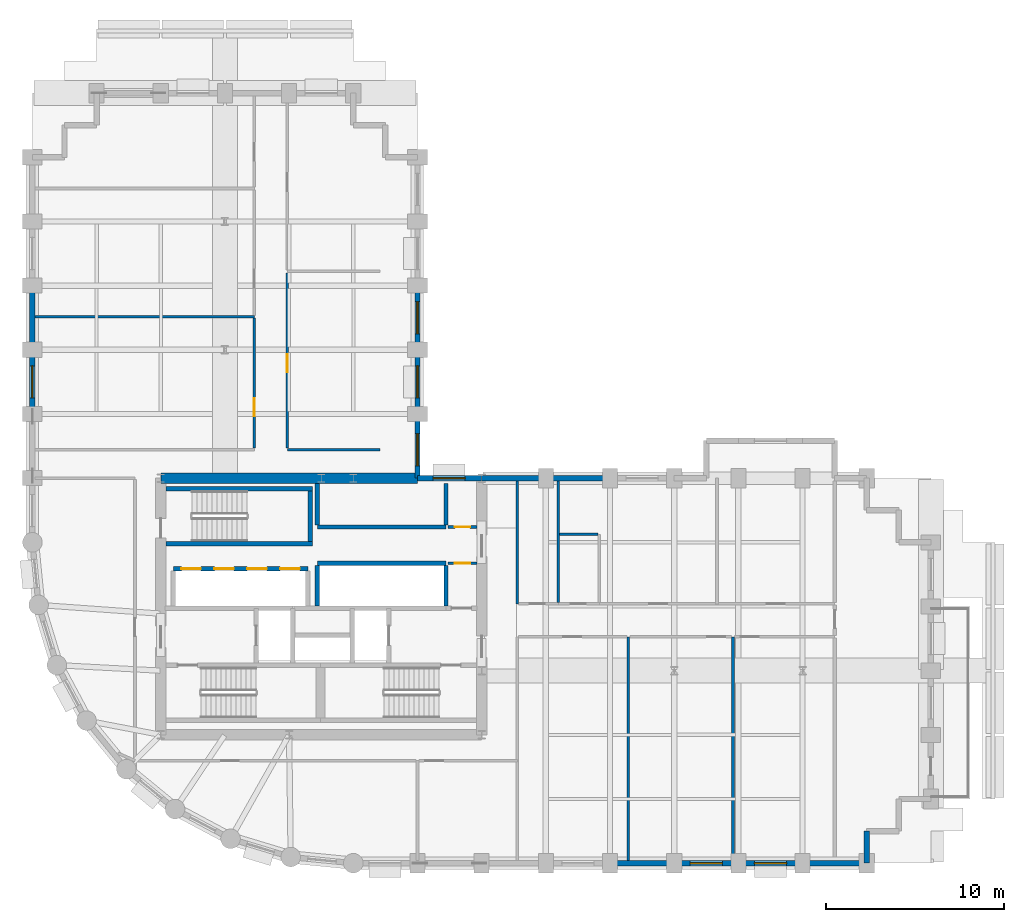
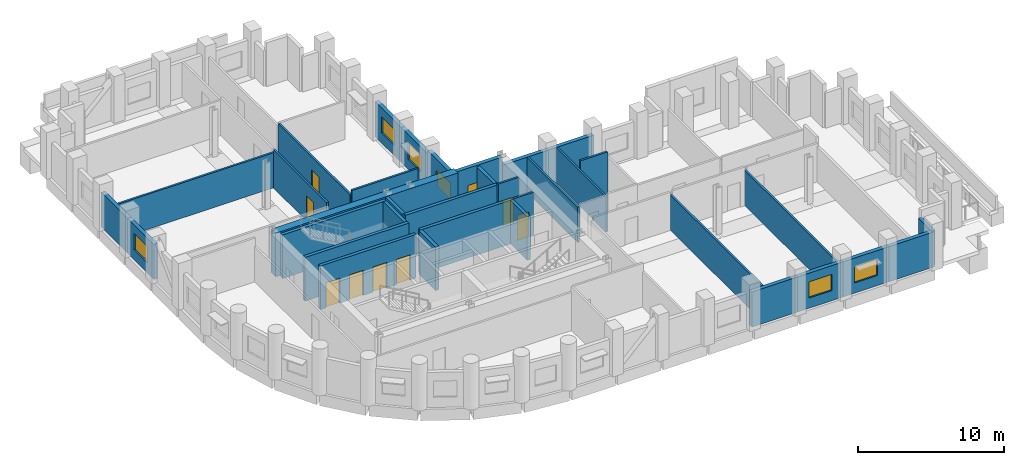
# One storey, part 5 of 9: 35 walls, 8 doors, 7 windows, 15 openings.
"""IFC4 building model written with IfcOpenShell, lengths in metres."""

from ifc_helpers import new_model, si_unit, direction, frame, frame_2d, origin, place, context, subcontext, project, spatial, rectangle, extrude, material, layer, layer_set, type_object, element, fill, save


model = new_model("IFC4")

# Units and contexts
model_context = context("Model", 3, precision=1e-05, world=origin(), true_north=direction((0.0, 1.0)))
body_context = subcontext(model_context, "Body", "Model", "MODEL_VIEW")
ifc_project = project(units=[si_unit("LENGTHUNIT", "METRE"), si_unit("AREAUNIT", "SQUARE_METRE"), si_unit("VOLUMEUNIT", "CUBIC_METRE"), si_unit("PLANEANGLEUNIT", "RADIAN"), si_unit("MASSUNIT", "GRAM", prefix="KILO")], contexts=[model_context])

# Site, building, storey
site_placement = place(None, origin())
site = spatial("IfcSite", under=ifc_project, at=site_placement, CompositionType="ELEMENT")
building_placement = place(site_placement, origin())
building = spatial("IfcBuilding", under=site, at=building_placement, Name="Solnavia Interchange Tower", CompositionType="ELEMENT")
storey_placement = place(building_placement, frame((0.0, 0.0, 80.10009765625)))
storey = spatial("IfcBuildingStorey", under=building, at=storey_placement, Name="L19", CompositionType="ELEMENT", Elevation=80.10009765625)

# Wall
ifc_material_1 = material(Name="Concrete C40/50", Category="concrete")
ifc_layer_1 = layer(ifc_material_1, 0.300048828125)
ifc_layer_set_1 = layer_set([ifc_layer_1], Name="Concrete C40/50")
wall_type_1 = type_object("IfcWallType", Name="Wall-ExtSpandrel-300", PredefinedType="STANDARD", material=ifc_layer_set_1)
wall_1_placement = place(storey_placement, frame((43.199951171875, 3.60009765625, 0.0), z_axis=(0.0, 0.0, 1.0), x_axis=(-1.0, 0.0, 0.0)))
element("IfcWall", 1, at=wall_1_placement, inside=storey, type_object=wall_type_1, Name="EXW-L19-05 Exterior precast spandrel wall", PredefinedType="STANDARD", context=body_context, shape_type="SweptSolid", body=[
    extrude(rectangle(XDim=3.599853515625, YDim=0.300048828125, at=frame_2d((1.7998046875, 0.0))), origin(), (0.0, 0.0, 1.0), 2.929931640625),
])

# Wall, opening, window
wall_2_placement = place(storey_placement, frame((46.800048828125, 3.60009765625, 0.0), z_axis=(0.0, 0.0, 1.0), x_axis=(-1.0, 0.0, 0.0)))
wall_2 = element("IfcWall", 2, at=wall_2_placement, inside=storey, type_object=wall_type_1, Name="EXW-L19-06 Exterior precast spandrel wall", PredefinedType="STANDARD", context=body_context, shape_type="SweptSolid", body=[
    extrude(rectangle(XDim=3.60009765625, YDim=0.300048828125, at=frame_2d((1.800048828125, 0.0))), origin(), (0.0, 0.0, 1.0), 2.929931640625),
])
opening_1_placement = place(wall_2_placement, frame((0.89990234375, 0.0, 0.85009765625)))
opening_1 = element("IfcOpeningElement", 3, at=opening_1_placement, cuts=wall_2, Name="Opening WIN-02", PredefinedType="OPENING", context=body_context, shape_type="SweptSolid", body=[
    extrude(rectangle(XDim=1.800048828125, YDim=1.35009765625, at=frame_2d((0.89990234375, 0.675048828125))), frame((0.0, 0.16015625, 0.0), z_axis=(0.0, -1.0, 0.0), x_axis=(1.0, 0.0, 0.0)), (0.0, 0.0, 1.0), 0.320068359375),
])
ifc_material_2 = material(Name="Thermal-Break Aluminium & Low-E Glass", Category="aluminium")
window_type = type_object("IfcWindowType", Name="Window-Ribbon-1800x1350", PartitioningType="SINGLE_PANEL", PredefinedType="WINDOW", material=ifc_material_2)
window_1_placement = place(opening_1_placement, origin())
window_1 = element("IfcWindow", 4, at=window_1_placement, inside=storey, type_object=window_type, Name="WIN-L19-06 Facade ribbon window", OverallHeight=1.35009765625, OverallWidth=1.800048828125, PartitioningType="SINGLE_PANEL", PredefinedType="WINDOW", context=body_context, shape_type="SweptSolid", body=[
    extrude(rectangle(XDim=1.800048828125, YDim=1.35009765625, at=frame_2d((0.89990234375, 0.675048828125))), frame((0.0, 0.030029296875, 0.0), z_axis=(0.0, -1.0, 0.0), x_axis=(1.0, 0.0, 0.0)), (0.0, 0.0, 1.0), 0.06005859375),
])
fill(opening_1, window_1)

wall_3_placement = place(storey_placement, frame((50.39990234375, 3.60009765625, 0.0), z_axis=(0.0, 0.0, 1.0), x_axis=(-1.0, 0.0, 0.0)))
wall_3 = element("IfcWall", 5, at=wall_3_placement, inside=storey, type_object=wall_type_1, Name="EXW-L19-07 Exterior precast spandrel wall", PredefinedType="STANDARD", context=body_context, shape_type="SweptSolid", body=[
    extrude(rectangle(XDim=3.599853515625, YDim=0.300048828125, at=frame_2d((1.7998046875, 0.0))), origin(), (0.0, 0.0, 1.0), 2.929931640625),
])
opening_2_placement = place(wall_3_placement, frame((0.89990234375, 0.0, 0.85009765625)))
opening_2 = element("IfcOpeningElement", 6, at=opening_2_placement, cuts=wall_3, Name="Opening WIN-02", PredefinedType="OPENING", context=body_context, shape_type="SweptSolid", body=[
    extrude(rectangle(XDim=1.800048828125, YDim=1.35009765625, at=frame_2d((0.89990234375, 0.675048828125))), frame((0.0, 0.16015625, 0.0), z_axis=(0.0, -1.0, 0.0), x_axis=(1.0, 0.0, 0.0)), (0.0, 0.0, 1.0), 0.320068359375),
])
window_2_placement = place(opening_2_placement, origin())
window_2 = element("IfcWindow", 7, at=window_2_placement, inside=storey, type_object=window_type, Name="WIN-L19-07 Facade ribbon window", OverallHeight=1.35009765625, OverallWidth=1.800048828125, PartitioningType="SINGLE_PANEL", PredefinedType="WINDOW", context=body_context, shape_type="SweptSolid", body=[
    extrude(rectangle(XDim=1.800048828125, YDim=1.35009765625, at=frame_2d((0.89990234375, 0.675048828125))), frame((0.0, 0.030029296875, 0.0), z_axis=(0.0, -1.0, 0.0), x_axis=(1.0, 0.0, 0.0)), (0.0, 0.0, 1.0), 0.06005859375),
])
fill(opening_2, window_2)

# Walls
wall_4_placement = place(storey_placement, frame((54.0, 3.60009765625, 0.0), z_axis=(0.0, 0.0, 1.0), x_axis=(-1.0, 0.0, 0.0)))
element("IfcWall", 8, at=wall_4_placement, inside=storey, type_object=wall_type_1, Name="EXW-L19-08 Exterior precast spandrel wall", PredefinedType="STANDARD", context=body_context, shape_type="SweptSolid", body=[
    extrude(rectangle(XDim=3.60009765625, YDim=0.300048828125, at=frame_2d((1.800048828125, 0.0))), origin(), (0.0, 0.0, 1.0), 2.929931640625),
])
wall_5_placement = place(storey_placement, frame((54.0, 5.39990234375, 0.0), z_axis=(0.0, 0.0, 1.0), x_axis=(0.0, -1.0, 0.0)))
element("IfcWall", 9, at=wall_5_placement, inside=storey, type_object=wall_type_1, Name="EXW-L19-09 Exterior precast spandrel wall", PredefinedType="STANDARD", context=body_context, shape_type="SweptSolid", body=[
    extrude(rectangle(XDim=1.7998046875, YDim=0.300048828125, at=frame_2d((0.89990234375, 0.0))), origin(), (0.0, 0.0, 1.0), 2.929931640625),
])
for number, where, z_axis, x_axis, name in (
    (10, (36.0, 25.199951171875, 0.0), (0.0, 0.0, 1.0), (1.0, 0.0, 0.0), "EXW-L19-29 Exterior precast spandrel wall"),
    (11, (32.39990234375, 25.199951171875, 0.0), (0.0, 0.0, 1.0), (1.0, 0.0, 0.0), "EXW-L19-30 Exterior precast spandrel wall"),
):
    element("IfcWall", number, at=place(storey_placement, frame(where, z_axis=z_axis, x_axis=x_axis)), inside=storey, type_object=wall_type_1, Name=name, PredefinedType="STANDARD", context=body_context, shape_type="SweptSolid", body=[
        extrude(rectangle(XDim=3.60009765625, YDim=0.300048828125, at=frame_2d((1.800048828125, 0.0))), origin(), (0.0, 0.0, 1.0), 2.929931640625),
    ])

# Wall, opening, window
wall_6_placement = place(storey_placement, frame((28.800048828125, 25.199951171875, 0.0), z_axis=(0.0, 0.0, 1.0), x_axis=(1.0, 0.0, 0.0)))
wall_6 = element("IfcWall", 12, at=wall_6_placement, inside=storey, type_object=wall_type_1, Name="EXW-L19-31 Exterior precast spandrel wall", PredefinedType="STANDARD", context=body_context, shape_type="SweptSolid", body=[
    extrude(rectangle(XDim=3.599853515625, YDim=0.300048828125, at=frame_2d((1.7998046875, 0.0))), origin(), (0.0, 0.0, 1.0), 3.635009765625),
])
opening_3_placement = place(wall_6_placement, frame((0.8779296875, 0.0, 0.85009765625)))
opening_3 = element("IfcOpeningElement", 13, at=opening_3_placement, cuts=wall_6, Name="Opening WIN-02", PredefinedType="OPENING", context=body_context, shape_type="SweptSolid", body=[
    extrude(rectangle(XDim=1.800048828125, YDim=1.35009765625, at=frame_2d((0.89990234375, 0.675048828125))), frame((0.0, 0.16015625, 0.0), z_axis=(0.0, -1.0, 0.0), x_axis=(1.0, 0.0, 0.0)), (0.0, 0.0, 1.0), 0.320068359375),
])
window_3_placement = place(opening_3_placement, origin())
window_3 = element("IfcWindow", 14, at=window_3_placement, inside=storey, type_object=window_type, Name="WIN-L19-31 Facade ribbon window", OverallHeight=1.35009765625, OverallWidth=1.800048828125, PartitioningType="SINGLE_PANEL", PredefinedType="WINDOW", context=body_context, shape_type="SweptSolid", body=[
    extrude(rectangle(XDim=1.800048828125, YDim=1.35009765625, at=frame_2d((0.89990234375, 0.675048828125))), frame((0.0, 0.030029296875, 0.0), z_axis=(0.0, -1.0, 0.0), x_axis=(1.0, 0.0, 0.0)), (0.0, 0.0, 1.0), 0.06005859375),
])
fill(opening_3, window_3)

wall_7_placement = place(storey_placement, frame((28.800048828125, 25.199951171875, 0.0), z_axis=(0.0, 0.0, 1.0), x_axis=(0.0, 1.0, 0.0)))
wall_7 = element("IfcWall", 15, at=wall_7_placement, inside=storey, type_object=wall_type_1, Name="EXW-L19-32 Exterior precast spandrel wall", PredefinedType="STANDARD", context=body_context, shape_type="SweptSolid", body=[
    extrude(rectangle(XDim=3.60009765625, YDim=0.300048828125, at=frame_2d((1.800048828125, 0.0))), origin(), (0.0, 0.0, 1.0), 3.18994140625),
])
opening_4_placement = place(wall_7_placement, frame((0.695068359375, 0.0, 0.85009765625)))
opening_4 = element("IfcOpeningElement", 16, at=opening_4_placement, cuts=wall_7, Name="Opening WIN-02", PredefinedType="OPENING", context=body_context, shape_type="SweptSolid", body=[
    extrude(rectangle(XDim=1.800048828125, YDim=1.35009765625, at=frame_2d((0.89990234375, 0.675048828125))), frame((0.0, 0.16015625, 0.0), z_axis=(0.0, -1.0, 0.0), x_axis=(1.0, 0.0, 0.0)), (0.0, 0.0, 1.0), 0.320068359375),
])
window_4_placement = place(opening_4_placement, origin())
window_4 = element("IfcWindow", 17, at=window_4_placement, inside=storey, type_object=window_type, Name="WIN-L19-32 Facade ribbon window", OverallHeight=1.35009765625, OverallWidth=1.800048828125, PartitioningType="SINGLE_PANEL", PredefinedType="WINDOW", context=body_context, shape_type="SweptSolid", body=[
    extrude(rectangle(XDim=1.800048828125, YDim=1.35009765625, at=frame_2d((0.89990234375, 0.675048828125))), frame((0.0, 0.030029296875, 0.0), z_axis=(0.0, -1.0, 0.0), x_axis=(1.0, 0.0, 0.0)), (0.0, 0.0, 1.0), 0.06005859375),
])
fill(opening_4, window_4)

wall_8_placement = place(storey_placement, frame((28.800048828125, 28.800048828125, 0.0), z_axis=(0.0, 0.0, 1.0), x_axis=(0.0, 1.0, 0.0)))
wall_8 = element("IfcWall", 18, at=wall_8_placement, inside=storey, type_object=wall_type_1, Name="EXW-L19-33 Exterior precast spandrel wall", PredefinedType="STANDARD", context=body_context, shape_type="SweptSolid", body=[
    extrude(rectangle(XDim=3.599853515625, YDim=0.300048828125, at=frame_2d((1.7998046875, 0.0))), origin(), (0.0, 0.0, 1.0), 2.929931640625),
])
opening_5_placement = place(wall_8_placement, frame((0.89990234375, 0.0, 0.85009765625)))
opening_5 = element("IfcOpeningElement", 19, at=opening_5_placement, cuts=wall_8, Name="Opening WIN-02", PredefinedType="OPENING", context=body_context, shape_type="SweptSolid", body=[
    extrude(rectangle(XDim=1.800048828125, YDim=1.35009765625, at=frame_2d((0.89990234375, 0.675048828125))), frame((0.0, 0.16015625, 0.0), z_axis=(0.0, -1.0, 0.0), x_axis=(1.0, 0.0, 0.0)), (0.0, 0.0, 1.0), 0.320068359375),
])
window_5_placement = place(opening_5_placement, origin())
window_5 = element("IfcWindow", 20, at=window_5_placement, inside=storey, type_object=window_type, Name="WIN-L19-33 Facade ribbon window", OverallHeight=1.35009765625, OverallWidth=1.800048828125, PartitioningType="SINGLE_PANEL", PredefinedType="WINDOW", context=body_context, shape_type="SweptSolid", body=[
    extrude(rectangle(XDim=1.800048828125, YDim=1.35009765625, at=frame_2d((0.89990234375, 0.675048828125))), frame((0.0, 0.030029296875, 0.0), z_axis=(0.0, -1.0, 0.0), x_axis=(1.0, 0.0, 0.0)), (0.0, 0.0, 1.0), 0.06005859375),
])
fill(opening_5, window_5)

wall_9_placement = place(storey_placement, frame((28.800048828125, 32.39990234375, 0.0), z_axis=(0.0, 0.0, 1.0), x_axis=(0.0, 1.0, 0.0)))
wall_9 = element("IfcWall", 21, at=wall_9_placement, inside=storey, type_object=wall_type_1, Name="EXW-L19-34 Exterior precast spandrel wall", PredefinedType="STANDARD", context=body_context, shape_type="SweptSolid", body=[
    extrude(rectangle(XDim=3.60009765625, YDim=0.300048828125, at=frame_2d((1.800048828125, 0.0))), origin(), (0.0, 0.0, 1.0), 2.929931640625),
])
opening_6_placement = place(wall_9_placement, frame((0.89990234375, 0.0, 0.85009765625)))
opening_6 = element("IfcOpeningElement", 22, at=opening_6_placement, cuts=wall_9, Name="Opening WIN-02", PredefinedType="OPENING", context=body_context, shape_type="SweptSolid", body=[
    extrude(rectangle(XDim=1.800048828125, YDim=1.35009765625, at=frame_2d((0.89990234375, 0.675048828125))), frame((0.0, 0.16015625, 0.0), z_axis=(0.0, -1.0, 0.0), x_axis=(1.0, 0.0, 0.0)), (0.0, 0.0, 1.0), 0.320068359375),
])
window_6_placement = place(opening_6_placement, origin())
window_6 = element("IfcWindow", 23, at=window_6_placement, inside=storey, type_object=window_type, Name="WIN-L19-34 Facade ribbon window", OverallHeight=1.35009765625, OverallWidth=1.800048828125, PartitioningType="SINGLE_PANEL", PredefinedType="WINDOW", context=body_context, shape_type="SweptSolid", body=[
    extrude(rectangle(XDim=1.800048828125, YDim=1.35009765625, at=frame_2d((0.89990234375, 0.675048828125))), frame((0.0, 0.030029296875, 0.0), z_axis=(0.0, -1.0, 0.0), x_axis=(1.0, 0.0, 0.0)), (0.0, 0.0, 1.0), 0.06005859375),
])
fill(opening_6, window_6)

# Wall
wall_10_placement = place(storey_placement, frame((7.199951171875, 32.39990234375, 0.0), z_axis=(0.0, 0.0, 1.0), x_axis=(0.0, 1.0, 0.0)))
element("IfcWall", 24, at=wall_10_placement, inside=storey, type_object=wall_type_1, Name="EXW-L19-51 Exterior precast spandrel wall", PredefinedType="STANDARD", context=body_context, shape_type="SweptSolid", body=[
    extrude(rectangle(XDim=3.60009765625, YDim=0.300048828125, at=frame_2d((1.800048828125, 0.0))), origin(), (0.0, 0.0, 1.0), 2.929931640625),
])

# Wall, opening, window
wall_11_placement = place(storey_placement, frame((7.199951171875, 28.800048828125, 0.0), z_axis=(0.0, 0.0, 1.0), x_axis=(0.0, 1.0, 0.0)))
wall_11 = element("IfcWall", 25, at=wall_11_placement, inside=storey, type_object=wall_type_1, Name="EXW-L19-52 Exterior precast spandrel wall", PredefinedType="STANDARD", context=body_context, shape_type="SweptSolid", body=[
    extrude(rectangle(XDim=3.599853515625, YDim=0.300048828125, at=frame_2d((1.7998046875, 0.0))), origin(), (0.0, 0.0, 1.0), 2.929931640625),
])
opening_7_placement = place(wall_11_placement, frame((0.89990234375, 0.0, 0.85009765625)))
opening_7 = element("IfcOpeningElement", 26, at=opening_7_placement, cuts=wall_11, Name="Opening WIN-02", PredefinedType="OPENING", context=body_context, shape_type="SweptSolid", body=[
    extrude(rectangle(XDim=1.800048828125, YDim=1.35009765625, at=frame_2d((0.89990234375, 0.675048828125))), frame((0.0, 0.16015625, 0.0), z_axis=(0.0, -1.0, 0.0), x_axis=(1.0, 0.0, 0.0)), (0.0, 0.0, 1.0), 0.320068359375),
])
window_7_placement = place(opening_7_placement, origin())
window_7 = element("IfcWindow", 27, at=window_7_placement, inside=storey, type_object=window_type, Name="WIN-L19-52 Facade ribbon window", OverallHeight=1.35009765625, OverallWidth=1.800048828125, PartitioningType="SINGLE_PANEL", PredefinedType="WINDOW", context=body_context, shape_type="SweptSolid", body=[
    extrude(rectangle(XDim=1.800048828125, YDim=1.35009765625, at=frame_2d((0.89990234375, 0.675048828125))), frame((0.0, 0.030029296875, 0.0), z_axis=(0.0, -1.0, 0.0), x_axis=(1.0, 0.0, 0.0)), (0.0, 0.0, 1.0), 0.06005859375),
])
fill(opening_7, window_7)

# Wall, opening, door
ifc_material_3 = material(Name="Gypsum Plasterboard & Steel Stud", Category="steel")
ifc_layer_2 = layer(ifc_material_3, 0.14990234375)
ifc_layer_set_2 = layer_set([ifc_layer_2], Name="Gypsum Plasterboard & Steel Stud")
wall_type_2 = type_object("IfcWallType", Name="Wall-Partition-150", PredefinedType="PARTITIONING", material=ifc_layer_set_2)
wall_12_placement = place(storey_placement, frame((30.52001953125, 22.4599609375, 0.0), z_axis=(0.0, 0.0, 1.0), x_axis=(1.0, 0.0, 0.0)))
wall_12 = element("IfcWall", 28, at=wall_12_placement, inside=storey, type_object=wall_type_2, Name="CSW-L19-NE-S Core shaft wall", PredefinedType="PARTITIONING", context=body_context, shape_type="SweptSolid", body=[
    extrude(rectangle(XDim=1.6298828125, YDim=0.14990234375, at=frame_2d((0.81494140625, 0.0))), origin(), (0.0, 0.0, 1.0), 3.635009765625),
])
opening_8_placement = place(wall_12_placement, frame((0.3798828125, 0.0, 0.0)))
opening_8 = element("IfcOpeningElement", 29, at=opening_8_placement, cuts=wall_12, Name="Opening DR-10", PredefinedType="OPENING", context=body_context, shape_type="SweptSolid", body=[
    extrude(rectangle(XDim=0.85009765625, YDim=2.10009765625, at=frame_2d((0.425048828125, 1.050048828125))), frame((0.0, 0.0849609375, 0.0), z_axis=(0.0, -1.0, 0.0), x_axis=(1.0, 0.0, 0.0)), (0.0, 0.0, 1.0), 0.169921875),
])
ifc_material_4 = material(Name="Moisture-Resistant Timber Door", Category="wood")
door_type_1 = type_object("IfcDoorType", Name="Door-Bathroom-850x2100", OperationType="SINGLE_SWING_RIGHT", PredefinedType="DOOR", material=ifc_material_4)
door_1_placement = place(opening_8_placement, origin())
door_1 = element("IfcDoor", 30, at=door_1_placement, inside=storey, type_object=door_type_1, Name="DR-L19-CNE1 Core fire door", OperationType="SINGLE_SWING_RIGHT", OverallHeight=2.10009765625, OverallWidth=0.85009765625, PredefinedType="DOOR", context=body_context, shape_type="SweptSolid", body=[
    extrude(rectangle(XDim=0.85009765625, YDim=2.10009765625, at=frame_2d((0.425048828125, 1.050048828125))), frame((0.0, 0.02490234375, 0.0), z_axis=(0.0, -1.0, 0.0), x_axis=(1.0, 0.0, 0.0)), (0.0, 0.0, 1.0), 0.050048828125),
])
fill(opening_8, door_1)

wall_13_placement = place(storey_placement, frame((30.52001953125, 20.419921875, 0.0), z_axis=(0.0, 0.0, 1.0), x_axis=(1.0, 0.0, 0.0)))
wall_13 = element("IfcWall", 31, at=wall_13_placement, inside=storey, type_object=wall_type_2, Name="CSW-L19-SE-N Core shaft wall", PredefinedType="PARTITIONING", context=body_context, shape_type="SweptSolid", body=[
    extrude(rectangle(XDim=1.6298828125, YDim=0.14990234375, at=frame_2d((0.81494140625, 0.0))), origin(), (0.0, 0.0, 1.0), 3.635009765625),
])
opening_9_placement = place(wall_13_placement, frame((0.3798828125, 0.0, 0.0)))
opening_9 = element("IfcOpeningElement", 32, at=opening_9_placement, cuts=wall_13, Name="Opening DR-10", PredefinedType="OPENING", context=body_context, shape_type="SweptSolid", body=[
    extrude(rectangle(XDim=0.85009765625, YDim=2.10009765625, at=frame_2d((0.425048828125, 1.050048828125))), frame((0.0, 0.0849609375, 0.0), z_axis=(0.0, -1.0, 0.0), x_axis=(1.0, 0.0, 0.0)), (0.0, 0.0, 1.0), 0.169921875),
])
door_2_placement = place(opening_9_placement, origin())
door_2 = element("IfcDoor", 33, at=door_2_placement, inside=storey, type_object=door_type_1, Name="DR-L19-CSE1 Core fire door", OperationType="SINGLE_SWING_LEFT", OverallHeight=2.10009765625, OverallWidth=0.85009765625, PredefinedType="DOOR", context=body_context, shape_type="SweptSolid", body=[
    extrude(rectangle(XDim=0.85009765625, YDim=2.10009765625, at=frame_2d((0.425048828125, 1.050048828125))), frame((0.0, 0.02490234375, 0.0), z_axis=(0.0, -1.0, 0.0), x_axis=(1.0, 0.0, 0.0)), (0.0, 0.0, 1.0), 0.050048828125),
])
fill(opening_9, door_2)

# Walls
for number, where, z_axis, x_axis, name in (
    (34, (40.6298828125, 3.75390625, 0.0), (0.0, 0.0, 1.0), (0.0, 1.0, 0.0), "PTW-L19-14 Interior partition wall"),
    (35, (46.5, 3.75390625, 0.0), (0.0, 0.0, 1.0), (0.0, 1.0, 0.0), "PTW-L19-16 Interior partition wall"),
):
    element("IfcWall", number, at=place(storey_placement, frame(where, z_axis=z_axis, x_axis=x_axis)), inside=storey, type_object=wall_type_2, Name=name, PredefinedType="PARTITIONING", context=body_context, shape_type="SweptSolid", body=[
        extrude(rectangle(XDim=12.546142578125, YDim=0.14990234375, at=frame_2d((6.27294921875, 0.0))), origin(), (0.0, 0.0, 1.0), 2.929931640625),
    ])
wall_14_placement = place(storey_placement, frame((7.35400390625, 34.25, 0.0), z_axis=(0.0, 0.0, 1.0), x_axis=(1.0, 0.0, 0.0)))
element("IfcWall", 36, at=wall_14_placement, inside=storey, type_object=wall_type_2, Name="PTW-L19-26 Interior partition wall", PredefinedType="PARTITIONING", context=body_context, shape_type="SweptSolid", body=[
    extrude(rectangle(XDim=12.2958984375, YDim=0.14990234375, at=frame_2d((6.14794921875, 0.0))), origin(), (0.0, 0.0, 1.0), 2.929931640625),
])

# Wall, opening, door
wall_15_placement = place(storey_placement, frame((19.64990234375, 26.87890625, 0.0), z_axis=(0.0, 0.0, 1.0), x_axis=(0.0, 1.0, 0.0)))
wall_15 = element("IfcWall", 37, at=wall_15_placement, inside=storey, type_object=wall_type_2, Name="PTW-L19-27 Interior partition wall", PredefinedType="PARTITIONING", context=body_context, shape_type="SweptSolid", body=[
    extrude(rectangle(XDim=7.2919921875, YDim=0.14990234375, at=frame_2d((3.64599609375, 0.0))), origin(), (0.0, 0.0, 1.0), 3.18994140625),
])
opening_10_placement = place(wall_15_placement, frame((1.79296875, 0.0, 0.0)))
opening_10 = element("IfcOpeningElement", 38, at=opening_10_placement, cuts=wall_15, Name="Opening DR-07", PredefinedType="OPENING", context=body_context, shape_type="SweptSolid", body=[
    extrude(rectangle(XDim=1.0, YDim=2.10009765625, at=frame_2d((0.5, 1.050048828125))), frame((0.0, 0.0849609375, 0.0), z_axis=(0.0, -1.0, 0.0), x_axis=(1.0, 0.0, 0.0)), (0.0, 0.0, 1.0), 0.169921875),
])
ifc_material_5 = material(Name="Timber & Acoustic Glazed Office Door", Category="wood")
door_type_2 = type_object("IfcDoorType", Name="Door-Office-1000x2100", OperationType="SINGLE_SWING_RIGHT", PredefinedType="DOOR", material=ifc_material_5)
door_3_placement = place(opening_10_placement, origin())
door_3 = element("IfcDoor", 39, at=door_3_placement, inside=storey, type_object=door_type_2, Name="DR-L19-12 Interior room door", OperationType="SINGLE_SWING_RIGHT", OverallHeight=2.10009765625, OverallWidth=1.0, PredefinedType="DOOR", context=body_context, shape_type="SweptSolid", body=[
    extrude(rectangle(XDim=1.0, YDim=2.10009765625, at=frame_2d((0.5, 1.050048828125))), frame((0.0, 0.02490234375, 0.0), z_axis=(0.0, -1.0, 0.0), x_axis=(1.0, 0.0, 0.0)), (0.0, 0.0, 1.0), 0.050048828125),
])
fill(opening_10, door_3)

# Wall
wall_16_placement = place(storey_placement, frame((21.5, 26.800048828125, 0.0), z_axis=(0.0, 0.0, 1.0), x_axis=(1.0, 0.0, 0.0)))
element("IfcWall", 40, at=wall_16_placement, inside=storey, type_object=wall_type_2, Name="PTW-L19-31 Interior partition wall", PredefinedType="PARTITIONING", context=body_context, shape_type="SweptSolid", body=[
    extrude(rectangle(XDim=5.199951171875, YDim=0.14990234375, at=frame_2d((2.60009765625, 0.0))), origin(), (0.0, 0.0, 1.0), 3.635009765625),
])

# Wall, opening, door
wall_17_placement = place(storey_placement, frame((21.5, 26.87890625, 0.0), z_axis=(0.0, 0.0, 1.0), x_axis=(0.0, 1.0, 0.0)))
wall_17 = element("IfcWall", 41, at=wall_17_placement, inside=storey, type_object=wall_type_2, Name="PTW-L19-33 Interior partition wall", PredefinedType="PARTITIONING", context=body_context, shape_type="SweptSolid", body=[
    extrude(rectangle(XDim=9.842041015625, YDim=0.14990234375, at=frame_2d((4.9208984375, 0.0))), origin(), (0.0, 0.0, 1.0), 3.179931640625),
])
opening_11_placement = place(wall_17_placement, frame((4.261962890625, 0.0, 0.0)))
opening_11 = element("IfcOpeningElement", 42, at=opening_11_placement, cuts=wall_17, Name="Opening DR-07", PredefinedType="OPENING", context=body_context, shape_type="SweptSolid", body=[
    extrude(rectangle(XDim=1.0, YDim=2.10009765625, at=frame_2d((0.5, 1.050048828125))), frame((0.0, 0.0849609375, 0.0), z_axis=(0.0, -1.0, 0.0), x_axis=(1.0, 0.0, 0.0)), (0.0, 0.0, 1.0), 0.169921875),
])
door_4_placement = place(opening_11_placement, origin())
door_4 = element("IfcDoor", 43, at=door_4_placement, inside=storey, type_object=door_type_2, Name="DR-L19-15 Interior room door", OperationType="SINGLE_SWING_LEFT", OverallHeight=2.10009765625, OverallWidth=1.0, PredefinedType="DOOR", context=body_context, shape_type="SweptSolid", body=[
    extrude(rectangle(XDim=1.0, YDim=2.10009765625, at=frame_2d((0.5, 1.050048828125))), frame((0.0, 0.02490234375, 0.0), z_axis=(0.0, -1.0, 0.0), x_axis=(1.0, 0.0, 0.0)), (0.0, 0.0, 1.0), 0.050048828125),
])
fill(opening_11, door_4)

# Walls
ifc_layer_3 = layer(ifc_material_1, 0.25)
ifc_layer_set_3 = layer_set([ifc_layer_3], Name="Concrete C40/50")
wall_type_3 = type_object("IfcWallType", Name="Wall-ShaftCore-250", PredefinedType="SHEAR", material=ifc_layer_set_3)
for number, where, z_axis, x_axis, name in (
    (44, (14.699951171875, 21.52490234375, 0.0), (0.0, 0.0, 1.0), (1.0, 0.0, 0.0), "SHW-L19-ST3S Core shear wall"),
    (45, (14.699951171875, 24.614990234375, 0.0), (0.0, 0.0, 1.0), (1.0, 0.0, 0.0), "SHW-L19-ST3N Core shear wall"),
):
    element("IfcWall", number, at=place(storey_placement, frame(where, z_axis=z_axis, x_axis=x_axis)), inside=storey, type_object=wall_type_3, Name=name, PredefinedType="SHEAR", context=body_context, shape_type="SweptSolid", body=[
        extrude(rectangle(XDim=8.199951171875, YDim=0.25, at=frame_2d((4.10009765625, 0.0))), origin(), (0.0, 0.0, 1.0), 3.64990234375),
    ])
wall_18_placement = place(storey_placement, frame((22.77490234375, 21.64990234375, 0.0), z_axis=(0.0, 0.0, 1.0), x_axis=(0.0, 1.0, 0.0)))
element("IfcWall", 46, at=wall_18_placement, inside=storey, type_object=wall_type_3, Name="SHW-L19-ST3E Core shear wall", PredefinedType="SHEAR", context=body_context, shape_type="SweptSolid", body=[
    extrude(rectangle(XDim=2.840087890625, YDim=0.25, at=frame_2d((1.419921875, 0.0))), origin(), (0.0, 0.0, 1.0), 3.64990234375),
])

# Wall, openings, doors
ifc_layer_4 = layer(ifc_material_1, 0.25)
ifc_layer_set_4 = layer_set([ifc_layer_4], Name="Concrete C40/50")
wall_type_4 = type_object("IfcWallType", Name="Wall-ShaftPart-250", PredefinedType="PARTITIONING", material=ifc_layer_set_4)
wall_19_placement = place(storey_placement, frame((15.10009765625, 20.125, 0.0), z_axis=(0.0, 0.0, 1.0), x_axis=(1.0, 0.0, 0.0)))
wall_19 = element("IfcWall", 47, at=wall_19_placement, inside=storey, type_object=wall_type_4, Name="SHW-L19-B1N Core shaft wall", PredefinedType="PARTITIONING", context=body_context, shape_type="SweptSolid", body=[
    extrude(rectangle(XDim=7.5498046875, YDim=0.25, at=frame_2d((3.77490234375, 0.0))), origin(), (0.0, 0.0, 1.0), 3.635009765625),
])
opening_12_placement = place(wall_19_placement, frame((0.449951171875, 0.0, 0.0)))
opening_12 = element("IfcOpeningElement", 48, at=opening_12_placement, cuts=wall_19, Name="Opening LD-01", PredefinedType="OPENING", context=body_context, shape_type="SweptSolid", body=[
    extrude(rectangle(XDim=1.10009765625, YDim=2.10009765625, at=frame_2d((0.550048828125, 1.050048828125))), frame((0.0, 0.135009765625, 0.0), z_axis=(0.0, -1.0, 0.0), x_axis=(1.0, 0.0, 0.0)), (0.0, 0.0, 1.0), 0.27001953125),
])
opening_13_placement = place(wall_19_placement, frame((2.300048828125, 0.0, 0.0)))
opening_13 = element("IfcOpeningElement", 49, at=opening_13_placement, cuts=wall_19, Name="Opening LD-01", PredefinedType="OPENING", context=body_context, shape_type="SweptSolid", body=[
    extrude(rectangle(XDim=1.10009765625, YDim=2.10009765625, at=frame_2d((0.550048828125, 1.050048828125))), frame((0.0, 0.135009765625, 0.0), z_axis=(0.0, -1.0, 0.0), x_axis=(1.0, 0.0, 0.0)), (0.0, 0.0, 1.0), 0.27001953125),
])
opening_14_placement = place(wall_19_placement, frame((4.14990234375, 0.0, 0.0)))
opening_14 = element("IfcOpeningElement", 50, at=opening_14_placement, cuts=wall_19, Name="Opening LD-01", PredefinedType="OPENING", context=body_context, shape_type="SweptSolid", body=[
    extrude(rectangle(XDim=1.10009765625, YDim=2.10009765625, at=frame_2d((0.550048828125, 1.050048828125))), frame((0.0, 0.135009765625, 0.0), z_axis=(0.0, -1.0, 0.0), x_axis=(1.0, 0.0, 0.0)), (0.0, 0.0, 1.0), 0.27001953125),
])
opening_15_placement = place(wall_19_placement, frame((6.0, 0.0, 0.0)))
opening_15 = element("IfcOpeningElement", 51, at=opening_15_placement, cuts=wall_19, Name="Opening LD-01", PredefinedType="OPENING", context=body_context, shape_type="SweptSolid", body=[
    extrude(rectangle(XDim=1.10009765625, YDim=2.10009765625, at=frame_2d((0.550048828125, 1.050048828125))), frame((0.0, 0.135009765625, 0.0), z_axis=(0.0, -1.0, 0.0), x_axis=(1.0, 0.0, 0.0)), (0.0, 0.0, 1.0), 0.27001953125),
])
ifc_material_6 = material(Name="Brushed Stainless Steel Sliding Door", Category="steel")
door_type_3 = type_object("IfcDoorType", Name="Door-LiftLanding-1100x2100", OperationType="SLIDING_TO_LEFT", PredefinedType="DOOR", material=ifc_material_6)
door_5_placement = place(opening_12_placement, origin())
door_5 = element("IfcDoor", 52, at=door_5_placement, inside=storey, type_object=door_type_3, Name="LD-L19-B1-1 Lift landing sliding door", OperationType="SLIDING_TO_LEFT", OverallHeight=2.10009765625, OverallWidth=1.10009765625, PredefinedType="DOOR", context=body_context, shape_type="SweptSolid", body=[
    extrude(rectangle(XDim=1.10009765625, YDim=2.10009765625, at=frame_2d((0.550048828125, 1.050048828125))), frame((0.0, 0.02490234375, 0.0), z_axis=(0.0, -1.0, 0.0), x_axis=(1.0, 0.0, 0.0)), (0.0, 0.0, 1.0), 0.050048828125),
])
fill(opening_12, door_5)
door_6_placement = place(opening_13_placement, origin())
door_6 = element("IfcDoor", 53, at=door_6_placement, inside=storey, type_object=door_type_3, Name="LD-L19-B1-2 Lift landing sliding door", OperationType="SLIDING_TO_LEFT", OverallHeight=2.10009765625, OverallWidth=1.10009765625, PredefinedType="DOOR", context=body_context, shape_type="SweptSolid", body=[
    extrude(rectangle(XDim=1.10009765625, YDim=2.10009765625, at=frame_2d((0.550048828125, 1.050048828125))), frame((0.0, 0.02490234375, 0.0), z_axis=(0.0, -1.0, 0.0), x_axis=(1.0, 0.0, 0.0)), (0.0, 0.0, 1.0), 0.050048828125),
])
fill(opening_13, door_6)
door_7_placement = place(opening_14_placement, origin())
door_7 = element("IfcDoor", 54, at=door_7_placement, inside=storey, type_object=door_type_3, Name="LD-L19-B1-3 Lift landing sliding door", OperationType="SLIDING_TO_LEFT", OverallHeight=2.10009765625, OverallWidth=1.10009765625, PredefinedType="DOOR", context=body_context, shape_type="SweptSolid", body=[
    extrude(rectangle(XDim=1.10009765625, YDim=2.10009765625, at=frame_2d((0.550048828125, 1.050048828125))), frame((0.0, 0.02490234375, 0.0), z_axis=(0.0, -1.0, 0.0), x_axis=(1.0, 0.0, 0.0)), (0.0, 0.0, 1.0), 0.050048828125),
])
fill(opening_14, door_7)
door_8_placement = place(opening_15_placement, origin())
door_8 = element("IfcDoor", 55, at=door_8_placement, inside=storey, type_object=door_type_3, Name="LD-L19-B1-4 Lift landing sliding door", OperationType="SLIDING_TO_LEFT", OverallHeight=2.10009765625, OverallWidth=1.10009765625, PredefinedType="DOOR", context=body_context, shape_type="SweptSolid", body=[
    extrude(rectangle(XDim=1.10009765625, YDim=2.10009765625, at=frame_2d((0.550048828125, 1.050048828125))), frame((0.0, 0.02490234375, 0.0), z_axis=(0.0, -1.0, 0.0), x_axis=(1.0, 0.0, 0.0)), (0.0, 0.0, 1.0), 0.050048828125),
])
fill(opening_15, door_8)

# Walls
wall_20_placement = place(storey_placement, frame((23.179931640625, 20.419921875, 0.0), z_axis=(0.0, 0.0, 1.0), x_axis=(1.0, 0.0, 0.0)))
element("IfcWall", 56, at=wall_20_placement, inside=storey, type_object=wall_type_4, Name="SHW-L19-B2N Core shaft wall", PredefinedType="PARTITIONING", context=body_context, shape_type="SweptSolid", body=[
    extrude(rectangle(XDim=7.219970703125, YDim=0.25, at=frame_2d((3.60986328125, 0.0))), origin(), (0.0, 0.0, 1.0), 3.635009765625),
])
for number, where, z_axis, x_axis, name in (
    (57, (23.179931640625, 18.02490234375, 0.0), (0.0, 0.0, 1.0), (0.0, 1.0, 0.0), "SHW-L19-B2W Core shaft wall"),
    (58, (30.39990234375, 18.02490234375, 0.0), (0.0, 0.0, 1.0), (0.0, 1.0, 0.0), "SHW-L19-B2E Core shaft wall"),
):
    element("IfcWall", number, at=place(storey_placement, frame(where, z_axis=z_axis, x_axis=x_axis)), inside=storey, type_object=wall_type_4, Name=name, PredefinedType="PARTITIONING", context=body_context, shape_type="SweptSolid", body=[
        extrude(rectangle(XDim=2.27001953125, YDim=0.25, at=frame_2d((1.135009765625, 0.0))), origin(), (0.0, 0.0, 1.0), 3.635009765625),
    ])
wall_21_placement = place(storey_placement, frame((23.179931640625, 22.4599609375, 0.0), z_axis=(0.0, 0.0, 1.0), x_axis=(1.0, 0.0, 0.0)))
element("IfcWall", 59, at=wall_21_placement, inside=storey, type_object=wall_type_4, Name="SHW-L19-B3S Core shaft wall", PredefinedType="PARTITIONING", context=body_context, shape_type="SweptSolid", body=[
    extrude(rectangle(XDim=7.219970703125, YDim=0.25, at=frame_2d((3.60986328125, 0.0))), origin(), (0.0, 0.0, 1.0), 3.635009765625),
])
for number, where, z_axis, x_axis, name in (
    (60, (23.179931640625, 22.5849609375, 0.0), (0.0, 0.0, 1.0), (0.0, 1.0, 0.0), "SHW-L19-B3W Core shaft wall"),
    (61, (30.39990234375, 22.5849609375, 0.0), (0.0, 0.0, 1.0), (0.0, 1.0, 0.0), "SHW-L19-B3E Core shaft wall"),
):
    element("IfcWall", number, at=place(storey_placement, frame(where, z_axis=z_axis, x_axis=x_axis)), inside=storey, type_object=wall_type_4, Name=name, PredefinedType="PARTITIONING", context=body_context, shape_type="SweptSolid", body=[
        extrude(rectangle(XDim=2.31494140625, YDim=0.25, at=frame_2d((1.157470703125, 0.0))), origin(), (0.0, 0.0, 1.0), 3.635009765625),
    ])
ifc_material_7 = material(Name="Concrete C60/75", Category="concrete")
ifc_layer_5 = layer(ifc_material_7, 0.60009765625)
ifc_layer_set_5 = layer_set([ifc_layer_5], Name="Concrete C60/75")
wall_type_5 = type_object("IfcWallType", Name="Wall-ShearCore-600", PredefinedType="SHEAR", material=ifc_layer_set_5)
wall_22_placement = place(storey_placement, frame((14.39990234375, 25.199951171875, 0.0), z_axis=(0.0, 0.0, 1.0), x_axis=(1.0, 0.0, 0.0)))
element("IfcWall", 62, at=wall_22_placement, inside=storey, type_object=wall_type_5, Name="CRW-L19-N Core shear wall", PredefinedType="SHEAR", context=body_context, shape_type="SweptSolid", body=[
    extrude(rectangle(XDim=14.400146484375, YDim=0.60009765625, at=frame_2d((7.2001953125, 0.0))), origin(), (0.0, 0.0, 1.0), 3.64990234375),
])
ifc_material_8 = material(Name="Moisture-Resistant Gypsum & Steel Stud", Category="steel")
ifc_layer_6 = layer(ifc_material_8, 0.14990234375)
ifc_layer_set_6 = layer_set([ifc_layer_6], Name="Moisture-Resistant Gypsum & Steel Stud")
wall_type_6 = type_object("IfcWallType", Name="Wall-WetRoom-150", PredefinedType="PARTITIONING", material=ifc_layer_set_6)
wall_23_placement = place(storey_placement, frame((34.39990234375, 18.14990234375, 0.0), z_axis=(0.0, 0.0, 1.0), x_axis=(0.0, 1.0, 0.0)))
element("IfcWall", 63, at=wall_23_placement, inside=storey, type_object=wall_type_6, Name="PTW-L19-01 Interior partition wall", PredefinedType="PARTITIONING", context=body_context, shape_type="SweptSolid", body=[
    extrude(rectangle(XDim=6.89599609375, YDim=0.14990234375, at=frame_2d((3.447998046875, 0.0))), origin(), (0.0, 0.0, 1.0), 2.929931640625),
])
wall_24_placement = place(storey_placement, frame((36.699951171875, 18.22900390625, 0.0), z_axis=(0.0, 0.0, 1.0), x_axis=(0.0, 1.0, 0.0)))
element("IfcWall", 64, at=wall_24_placement, inside=storey, type_object=wall_type_6, Name="PTW-L19-03 Interior partition wall", PredefinedType="PARTITIONING", context=body_context, shape_type="SweptSolid", body=[
    extrude(rectangle(XDim=6.81689453125, YDim=0.14990234375, at=frame_2d((3.408447265625, 0.0))), origin(), (0.0, 0.0, 1.0), 2.929931640625),
])
wall_25_placement = place(storey_placement, frame((36.779052734375, 22.050048828125, 0.0), z_axis=(0.0, 0.0, 1.0), x_axis=(1.0, 0.0, 0.0)))
element("IfcWall", 65, at=wall_25_placement, inside=storey, type_object=wall_type_6, Name="PTW-L19-06 Interior partition wall", PredefinedType="PARTITIONING", context=body_context, shape_type="SweptSolid", body=[
    extrude(rectangle(XDim=2.141845703125, YDim=0.14990234375, at=frame_2d((1.07080078125, 0.0))), origin(), (0.0, 0.0, 1.0), 3.635009765625),
])

save(model, "model.ifc")
